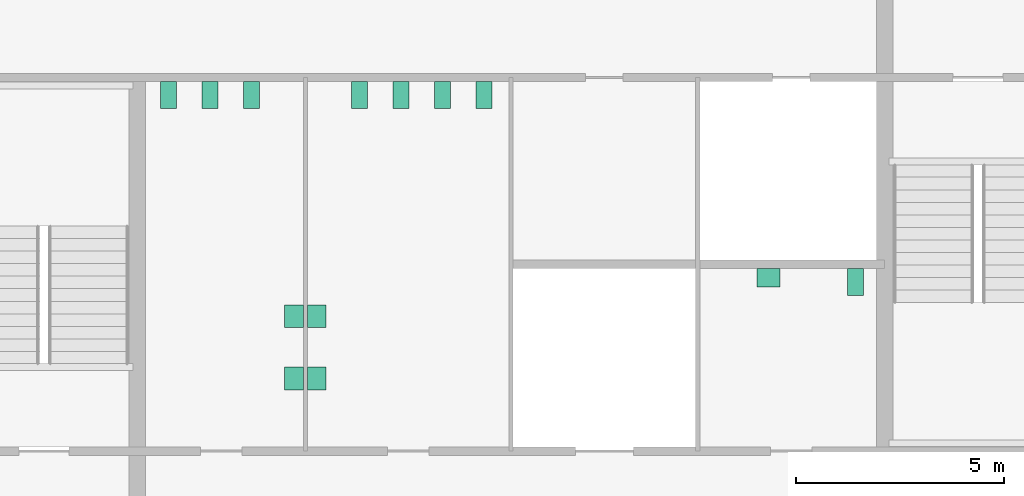
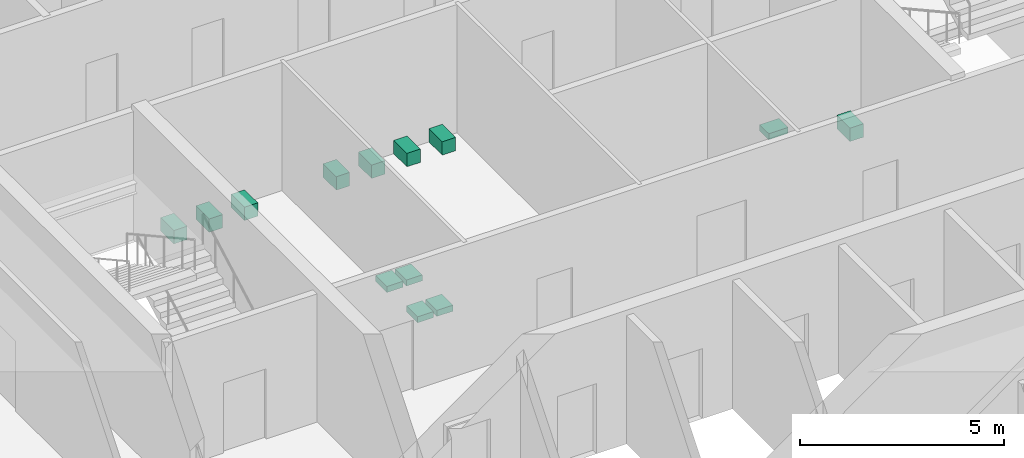
# One storey, part 14 of 14: 13 sanitary terminals.
"""IFC4 building model written with IfcOpenShell, lengths in metres."""

from ifc_helpers import new_model, si_unit, direction, frame, origin, origin_2d, place, context, subcontext, project, spatial, rectangle, extrude, material, type_object, element, save


model = new_model("IFC4")

# Units and contexts
model_context = context("Model", 3, precision=1e-05, world=origin(), true_north=direction((0.0, 1.0)))
body_context = subcontext(model_context, "Body", "Model", "MODEL_VIEW")
ifc_project = project(units=[si_unit("LENGTHUNIT", "METRE"), si_unit("AREAUNIT", "SQUARE_METRE"), si_unit("VOLUMEUNIT", "CUBIC_METRE"), si_unit("PLANEANGLEUNIT", "RADIAN"), si_unit("MASSUNIT", "GRAM", prefix="KILO")], contexts=[model_context])

# Site, building, storey
site_placement = place(None, origin())
site = spatial("IfcSite", under=ifc_project, at=site_placement, CompositionType="ELEMENT")
building_placement = place(site_placement, origin())
building = spatial("IfcBuilding", under=site, at=building_placement, Name="Corais Broadcast Tower", CompositionType="ELEMENT")
storey_placement = place(building_placement, frame((0.0, 0.0, 258.60009765625)))
storey = spatial("IfcBuildingStorey", under=building, at=storey_placement, Name="L60", CompositionType="ELEMENT", Elevation=258.60009765625)

# Sanitary terminals
ifc_material_1 = material(Name="Vitreous china", Category="ceramic")
sanitary_terminal_type_1 = type_object("IfcSanitaryTerminalType", Name="WC pan 380x650", PredefinedType="TOILETPAN", material=ifc_material_1)
for number, where, z_axis, x_axis, name in (
    (1, (18.75, 31.074951171875, 0.0), (0.0, 0.0, 1.0), (1.0, 0.0, 0.0), "SW1 WC pan, male toilets L60"),
    (2, (19.75, 31.074951171875, 0.0), (0.0, 0.0, 1.0), (1.0, 0.0, 0.0), "SW1 WC pan, male toilets L60"),
    (3, (20.75, 31.074951171875, 0.0), (0.0, 0.0, 1.0), (1.0, 0.0, 0.0), "SW1 WC pan, male toilets L60"),
    (4, (23.35009765625, 31.074951171875, 0.0), (0.0, 0.0, 1.0), (1.0, 0.0, 0.0), "SW1 WC pan, female toilets L60"),
    (5, (24.35009765625, 31.074951171875, 0.0), (0.0, 0.0, 1.0), (1.0, 0.0, 0.0), "SW1 WC pan, female toilets L60"),
    (6, (25.35009765625, 31.074951171875, 0.0), (0.0, 0.0, 1.0), (1.0, 0.0, 0.0), "SW1 WC pan, female toilets L60"),
    (7, (26.35009765625, 31.074951171875, 0.0), (0.0, 0.0, 1.0), (1.0, 0.0, 0.0), "SW1 WC pan, female toilets L60"),
    (8, (35.300048828125, 26.574951171875, 0.0), (0.0, 0.0, 1.0), (1.0, 0.0, 0.0), "SW1 WC pan, accessible WC L60"),
):
    element("IfcSanitaryTerminal", number, at=place(storey_placement, frame(where, z_axis=z_axis, x_axis=x_axis)), inside=storey, type_object=sanitary_terminal_type_1, Name=name, PredefinedType="TOILETPAN", context=body_context, shape_type="SweptSolid", body=[
        extrude(rectangle(XDim=0.3798828125, YDim=0.64990234375, at=origin_2d()), origin(), (0.0, 0.0, 1.0), 0.39990234375),
    ])
ifc_material_2 = material(Name="Vitreous china", Category="ceramic")
sanitary_terminal_type_2 = type_object("IfcSanitaryTerminalType", Name="Wash basin 550x450", PredefinedType="WASHHANDBASIN", material=ifc_material_2)
for number, where, z_axis, x_axis, name in (
    (9, (21.77490234375, 24.25, 0.69970703125), (0.0, 0.0, 1.0), (1.0, 0.0, 0.0), "WB1 wash basin, male toilets L60"),
    (10, (21.77490234375, 25.75, 0.69970703125), (0.0, 0.0, 1.0), (1.0, 0.0, 0.0), "WB1 wash basin, male toilets L60"),
    (11, (22.324951171875, 24.25, 0.69970703125), (0.0, 0.0, 1.0), (1.0, 0.0, 0.0), "WB1 wash basin, female toilets L60"),
    (12, (22.324951171875, 25.75, 0.69970703125), (0.0, 0.0, 1.0), (1.0, 0.0, 0.0), "WB1 wash basin, female toilets L60"),
):
    element("IfcSanitaryTerminal", number, at=place(storey_placement, frame(where, z_axis=z_axis, x_axis=x_axis)), inside=storey, type_object=sanitary_terminal_type_2, Name=name, PredefinedType="WASHHANDBASIN", context=body_context, shape_type="SweptSolid", body=[
        extrude(rectangle(XDim=0.449951171875, YDim=0.550048828125, at=origin_2d()), origin(), (0.0, 0.0, 1.0), 0.179931640625),
    ])
sanitary_terminal_placement = place(storey_placement, frame((33.199951171875, 26.675048828125, 0.69970703125), z_axis=(0.0, 0.0, 1.0), x_axis=(1.0, 0.0, 0.0)))
element("IfcSanitaryTerminal", 13, at=sanitary_terminal_placement, inside=storey, type_object=sanitary_terminal_type_2, Name="WB1 wash basin, accessible WC L60", PredefinedType="WASHHANDBASIN", context=body_context, shape_type="SweptSolid", body=[
    extrude(rectangle(XDim=0.550048828125, YDim=0.449951171875, at=origin_2d()), origin(), (0.0, 0.0, 1.0), 0.179931640625),
])

save(model, "model.ifc")
